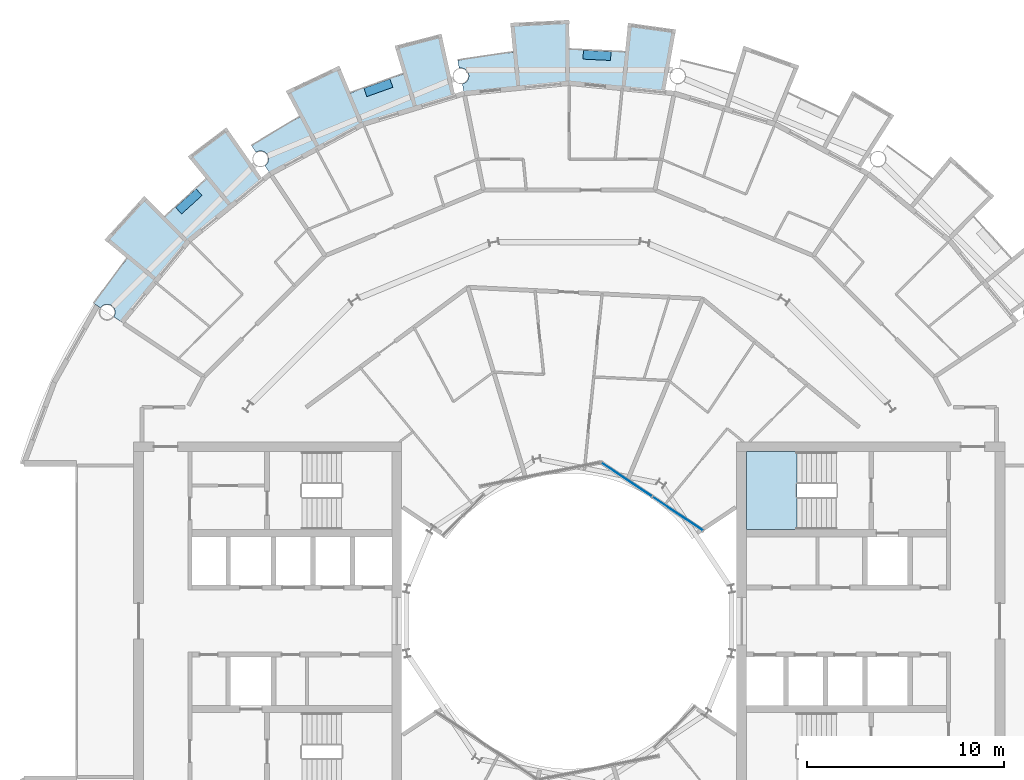
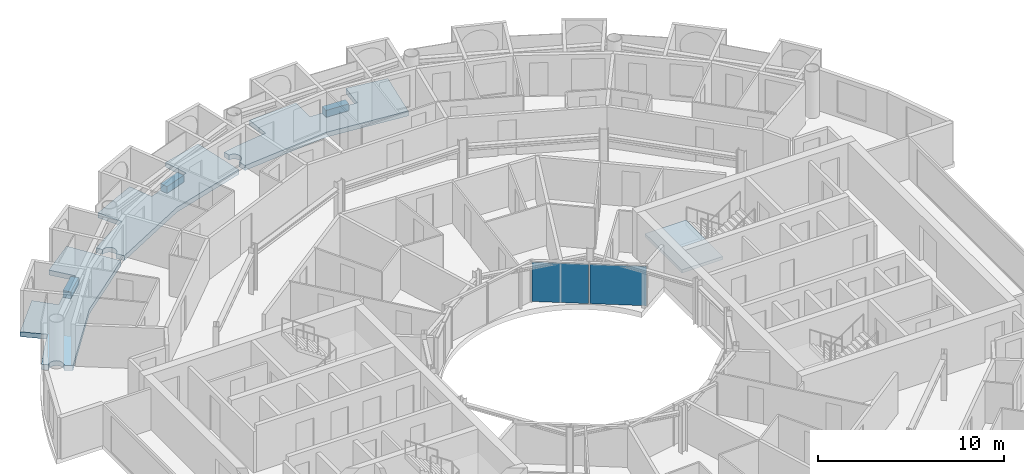
# One storey, part 12 of 27: 7 slabs, 2 plates, 2 elements without a shape of their own.
"""IFC4 building model written with IfcOpenShell, lengths in metres."""

from ifc_helpers import new_model, si_unit, direction, frame, origin, origin_2d, place, context, subcontext, project, spatial, polyline, rectangle, outline, extrude, material, layer, layer_set, type_object, element, aggregate, save


model = new_model("IFC4")

# Units and contexts
model_context = context("Model", 3, precision=1e-05, world=origin(), true_north=direction((0.0, 1.0)))
body_context = subcontext(model_context, "Body", "Model", "MODEL_VIEW")
ifc_project = project(units=[si_unit("LENGTHUNIT", "METRE"), si_unit("AREAUNIT", "SQUARE_METRE"), si_unit("VOLUMEUNIT", "CUBIC_METRE"), si_unit("PLANEANGLEUNIT", "RADIAN"), si_unit("MASSUNIT", "GRAM", prefix="KILO")], contexts=[model_context])

# Site, building, storey
site_placement = place(None, origin())
site = spatial("IfcSite", under=ifc_project, at=site_placement, CompositionType="ELEMENT")
building_placement = place(site_placement, origin())
building = spatial("IfcBuilding", under=site, at=building_placement, Name="Maasbend Ring Residences", CompositionType="ELEMENT")
storey_placement = place(building_placement, frame((0.0, 0.0, 167.699951171875)))
storey = spatial("IfcBuildingStorey", under=building, at=storey_placement, Name="L48", CompositionType="ELEMENT", Elevation=167.699951171875)

# Stair, slab
ifc_material_1 = material(Name="Concrete C40/50", Category="concrete")
stair_type = type_object("IfcStairType", Name="CORE STAIR 18 RISERS", PredefinedType="HALF_TURN_STAIR", material=ifc_material_1)
stair_placement = place(storey_placement, origin())
stair = element("IfcStair", 1, at=stair_placement, inside=storey, type_object=stair_type, Name="L48 Exit stair ST-E1", PredefinedType="HALF_TURN_STAIR")
ifc_material_2 = material(Name="Concrete C40/50", Category="concrete")
ifc_layer_1 = layer(ifc_material_2, 0.199951171875)
ifc_layer_set_1 = layer_set([ifc_layer_1], Name="Concrete C40/50")
slab_type_1 = type_object("IfcSlabType", Name="CORE STAIR LANDING 200", PredefinedType="LANDING", material=ifc_layer_set_1)
slab_1_placement = place(storey_placement, frame((0.0, 0.0, 1.324951171875)))
slab_1 = element("IfcSlab", 2, at=slab_1_placement, type_object=slab_type_1, Name="ST-E1 landing 1", PredefinedType="LANDING", context=body_context, shape_type="SweptSolid", body=[
    extrude(outline(polyline([(11.550048828125, 8.60009765625), (9.0, 8.60009765625), (9.0, 4.64990234375), (11.550048828125, 4.64990234375), (11.550048828125, 8.60009765625)])), origin(), (0.0, 0.0, 1.0), 0.2001953125),
])
aggregate(stair, [slab_1])

# Curtain wall, plates
ifc_material_3 = material(Name="Aluminium and clear glass", Category="aluminium")
ifc_layer_2 = layer(ifc_material_3, 0.179931640625)
ifc_layer_set_2 = layer_set([ifc_layer_2], Name="CW-W")
curtain_wall_type = type_object("IfcCurtainWallType", Name="CW-W", PredefinedType="NOTDEFINED", material=ifc_layer_set_2)
curtain_wall_placement = place(storey_placement, origin())
curtain_wall = element("IfcCurtainWall", 3, at=curtain_wall_placement, inside=storey, type_object=curtain_wall_type, Name="Well curtain wall N1", PredefinedType="NOTDEFINED")
ifc_material_4 = material(Name="Glass clear laminated", Category="glass")
ifc_layer_3 = layer(ifc_material_4, 0.031982421875)
ifc_layer_set_3 = layer_set([ifc_layer_3], Name="CWP-W")
plate_type = type_object("IfcPlateType", Name="CWP-W", PredefinedType="CURTAIN_PANEL", material=ifc_layer_set_3)
plate_1_placement = place(storey_placement, frame((5.51123046875, 5.44580078125, 0.0), z_axis=(0.0, 0.0, 1.0), x_axis=(-0.831469612303, 0.55557023302, 0.0)))
plate_1 = element("IfcPlate", 4, at=plate_1_placement, type_object=plate_type, Name="Glass panel well face", PredefinedType="CURTAIN_PANEL", context=body_context, shape_type="SweptSolid", body=[
    extrude(rectangle(XDim=3.053955078125, YDim=0.031982421875, at=origin_2d()), origin(), (0.0, 0.0, 1.0), 2.580078125),
])
plate_2_placement = place(storey_placement, frame((2.922119140625, 7.17578125, 0.0), z_axis=(0.0, 0.0, 1.0), x_axis=(-0.831469612303, 0.55557023302, 0.0)))
plate_2 = element("IfcPlate", 5, at=plate_2_placement, type_object=plate_type, Name="Glass panel well face", PredefinedType="CURTAIN_PANEL", context=body_context, shape_type="SweptSolid", body=[
    extrude(rectangle(XDim=3.053955078125, YDim=0.031982421875, at=origin_2d()), origin(), (0.0, 0.0, 1.0), 2.580078125),
])
aggregate(curtain_wall, [plate_1, plate_2])

# Slabs
ifc_material_5 = material(Name="Planting with climbing greenery")
ifc_layer_4 = layer(ifc_material_5, 0.449951171875)
ifc_layer_set_4 = layer_set([ifc_layer_4], Name="PLANTER-LG")
slab_type_2 = type_object("IfcSlabType", Name="PLANTER-LG", PredefinedType="USERDEFINED", material=ifc_layer_set_4)
slab_2_placement = place(storey_placement, frame((0.0, 0.0, -0.030029296875)))
element("IfcSlab", 6, at=slab_2_placement, inside=storey, type_object=slab_type_2, Name="Planter with climbing greenery 3", ObjectType="PLANTER", PredefinedType="USERDEFINED", context=body_context, shape_type="SweptSolid", body=[
    extrude(outline(polyline([(2.1201171875, 28.89599609375), (0.721923828125, 28.965087890625), (0.699951171875, 28.514892578125), (2.097900390625, 28.446044921875), (2.1201171875, 28.89599609375)])), origin(), (0.0, 0.0, 1.0), 0.4501953125),
])
slab_3_placement = place(storey_placement, frame((0.0, 0.0, -0.030029296875)))
element("IfcSlab", 7, at=slab_3_placement, inside=storey, type_object=slab_type_2, Name="Planter with climbing greenery 4", ObjectType="PLANTER", PredefinedType="USERDEFINED", context=body_context, shape_type="SweptSolid", body=[
    extrude(outline(polyline([(-9.09912109375, 27.508056640625), (-10.4169921875, 27.035888671875), (-10.26611328125, 26.612060546875), (-8.947021484375, 27.083984375), (-9.09912109375, 27.508056640625)])), origin(), (0.0, 0.0, 1.0), 0.4501953125),
])
slab_4_placement = place(storey_placement, frame((0.0, 0.0, -0.030029296875)))
element("IfcSlab", 8, at=slab_4_placement, inside=storey, type_object=slab_type_2, Name="Planter with climbing greenery 5", ObjectType="PLANTER", PredefinedType="USERDEFINED", context=body_context, shape_type="SweptSolid", body=[
    extrude(outline(polyline([(-18.93310546875, 21.931884765625), (-19.969970703125, 20.991943359375), (-19.66796875, 20.657958984375), (-18.631103515625, 21.597900390625), (-18.93310546875, 21.931884765625)])), origin(), (0.0, 0.0, 1.0), 0.4501953125),
])
ifc_material_6 = material(Name="Concrete C40/50", Category="concrete")
ifc_layer_5 = layer(ifc_material_6, 0.199951171875)
ifc_layer_set_5 = layer_set([ifc_layer_5], Name="Concrete C40/50")
slab_type_3 = type_object("IfcSlabType", Name="SL-LOGGIA", PredefinedType="FLOOR", material=ifc_layer_set_5)
slab_5_placement = place(storey_placement, frame((0.0, 0.0, -0.349853515625)))
element("IfcSlab", 9, at=slab_5_placement, inside=storey, type_object=slab_type_3, Name="Loggia floor 1", PredefinedType="FLOOR", context=body_context, shape_type="SweptSolid", body=[
    extrude(outline(polyline([(-14.5, 25.114990234375), (-13.6708984375, 25.574951171875), (-13.6708984375, 25.575927734375), (-13.6708984375, 25.575927734375), (-13.6708984375, 25.575927734375), (-13.6708984375, 25.575927734375), (-13.6708984375, 25.575927734375), (-13.6708984375, 25.575927734375), (-13.6708984375, 25.575927734375), (-13.6708984375, 25.575927734375), (-13.6708984375, 25.575927734375), (-13.6708984375, 25.575927734375), (-13.6708984375, 25.575927734375), (-13.6708984375, 25.575927734375), (-13.6708984375, 25.575927734375), (-13.6708984375, 25.575927734375), (-13.6708984375, 25.575927734375), (-13.6708984375, 25.575927734375), (-14.3779296875, 26.89892578125), (-14.3779296875, 26.89892578125), (-14.3779296875, 26.89892578125), (-11.672119140625, 28.177978515625), (-11.672119140625, 28.177978515625), (-11.672119140625, 28.177978515625), (-11.097900390625, 26.79296875), (-11.097900390625, 26.79296875), (-11.097900390625, 26.79296875), (-11.097900390625, 26.79296875), (-11.097900390625, 26.79296875), (-11.097900390625, 26.79296875), (-11.097900390625, 26.79296875), (-11.097900390625, 26.79296875), (-11.097900390625, 26.79296875), (-11.097900390625, 26.79296875), (-11.097900390625, 26.79296875), (-11.097900390625, 26.79296875), (-11.097900390625, 26.79296875), (-11.097900390625, 26.79296875), (-11.096923828125, 26.79296875), (-11.096923828125, 26.79296875), (-11.096923828125, 26.79296875), (-10.215087890625, 27.14111328125), (-10.215087890625, 27.14111328125), (-9.322021484375, 27.4609375), (-9.322021484375, 27.4609375), (-8.4189453125, 27.7509765625), (-8.4189453125, 27.7509765625), (-8.4189453125, 27.7509765625), (-8.4189453125, 27.7509765625), (-8.4189453125, 27.7509765625), (-8.4189453125, 27.7509765625), (-8.41796875, 27.7509765625), (-8.41796875, 27.7509765625), (-8.41796875, 27.7509765625), (-8.41796875, 27.7509765625), (-8.41796875, 27.7509765625), (-8.41796875, 27.751953125), (-8.41796875, 27.751953125), (-8.41796875, 27.751953125), (-8.41796875, 27.751953125), (-8.41796875, 27.751953125), (-8.41796875, 27.751953125), (-8.85400390625, 29.18701171875), (-8.85400390625, 29.18701171875), (-8.85400390625, 29.18701171875), (-6.487060546875, 29.802001953125), (-6.487060546875, 29.802001953125), (-6.487060546875, 29.802001953125), (-5.797119140625, 26.633056640625), (-5.797119140625, 26.633056640625), (-5.797119140625, 26.633056640625), (-7.886962890625, 25.9990234375), (-10.447021484375, 25.221923828125), (-10.447021484375, 25.221923828125), (-10.447021484375, 25.221923828125), (-12.806884765625, 23.9609375), (-15.1669921875, 22.698974609375), (-15.1669921875, 22.698974609375), (-15.1669921875, 22.698974609375), (-15.44091796875, 23.10888671875), (-15.43310546875, 23.114990234375), (-15.425048828125, 23.12109375), (-15.4169921875, 23.126953125), (-15.408935546875, 23.133056640625), (-15.402099609375, 23.139892578125), (-15.39404296875, 23.14599609375), (-15.386962890625, 23.153076171875), (-15.3798828125, 23.159912109375), (-15.373046875, 23.1669921875), (-15.365966796875, 23.174072265625), (-15.35888671875, 23.181884765625), (-15.35302734375, 23.18994140625), (-15.346923828125, 23.197021484375), (-15.341064453125, 23.205078125), (-15.3349609375, 23.212890625), (-15.3291015625, 23.221923828125), (-15.323974609375, 23.22998046875), (-15.318115234375, 23.238037109375), (-15.31298828125, 23.2470703125), (-15.30908203125, 23.256103515625), (-15.303955078125, 23.264892578125), (-15.300048828125, 23.27392578125), (-15.294921875, 23.282958984375), (-15.2919921875, 23.2919921875), (-15.2880859375, 23.301025390625), (-15.283935546875, 23.31005859375), (-15.281005859375, 23.320068359375), (-15.278076171875, 23.3291015625), (-15.27490234375, 23.339111328125), (-15.27294921875, 23.34912109375), (-15.27001953125, 23.35791015625), (-15.26806640625, 23.367919921875), (-15.26708984375, 23.3779296875), (-15.264892578125, 23.387939453125), (-15.263916015625, 23.39794921875), (-15.262939453125, 23.407958984375), (-15.261962890625, 23.4169921875), (-15.260986328125, 23.427001953125), (-15.260986328125, 23.43701171875), (-15.260986328125, 23.447021484375), (-15.260986328125, 23.45703125), (-15.260986328125, 23.467041015625), (-15.261962890625, 23.47705078125), (-15.262939453125, 23.487060546875), (-15.263916015625, 23.4970703125), (-15.264892578125, 23.507080078125), (-15.26708984375, 23.51708984375), (-15.26806640625, 23.527099609375), (-15.27001953125, 23.535888671875), (-15.27294921875, 23.5458984375), (-15.27490234375, 23.555908203125), (-15.278076171875, 23.56494140625), (-15.281005859375, 23.574951171875), (-15.283935546875, 23.583984375), (-15.2880859375, 23.593994140625), (-15.2919921875, 23.60302734375), (-15.294921875, 23.612060546875), (-15.300048828125, 23.62109375), (-15.303955078125, 23.6298828125), (-15.30908203125, 23.638916015625), (-15.31298828125, 23.64794921875), (-15.318115234375, 23.656005859375), (-15.323974609375, 23.6650390625), (-15.3291015625, 23.673095703125), (-15.3349609375, 23.680908203125), (-15.341064453125, 23.68994140625), (-15.346923828125, 23.697021484375), (-15.35302734375, 23.705078125), (-15.35888671875, 23.712890625), (-15.365966796875, 23.719970703125), (-15.373046875, 23.72802734375), (-15.3798828125, 23.735107421875), (-15.386962890625, 23.741943359375), (-15.39404296875, 23.7490234375), (-15.402099609375, 23.7548828125), (-15.408935546875, 23.761962890625), (-15.4169921875, 23.76806640625), (-15.425048828125, 23.77392578125), (-15.43310546875, 23.780029296875), (-15.44091796875, 23.784912109375), (-15.449951171875, 23.791015625), (-15.4580078125, 23.7958984375), (-15.467041015625, 23.801025390625), (-15.47509765625, 23.805908203125), (-15.48388671875, 23.81005859375), (-15.492919921875, 23.81494140625), (-15.501953125, 23.819091796875), (-15.511962890625, 23.822998046875), (-15.52099609375, 23.826904296875), (-15.530029296875, 23.830078125), (-15.5400390625, 23.8330078125), (-15.549072265625, 23.8359375), (-15.55908203125, 23.839111328125), (-15.568115234375, 23.842041015625), (-15.577880859375, 23.843994140625), (-15.587890625, 23.845947265625), (-15.597900390625, 23.847900390625), (-15.60693359375, 23.85009765625), (-15.616943359375, 23.85107421875), (-15.626953125, 23.85205078125), (-15.636962890625, 23.85302734375), (-15.64697265625, 23.85302734375), (-15.656982421875, 23.85400390625), (-15.6669921875, 23.85400390625), (-15.677001953125, 23.85400390625), (-15.68701171875, 23.85302734375), (-15.697021484375, 23.85302734375), (-15.70703125, 23.85205078125), (-15.717041015625, 23.85107421875), (-15.72705078125, 23.85009765625), (-15.737060546875, 23.847900390625), (-15.74609375, 23.845947265625), (-15.756103515625, 23.843994140625), (-15.76611328125, 23.842041015625), (-15.77587890625, 23.839111328125), (-15.784912109375, 23.8359375), (-15.794921875, 23.8330078125), (-15.803955078125, 23.830078125), (-15.81298828125, 23.826904296875), (-15.822998046875, 23.822998046875), (-15.83203125, 23.819091796875), (-15.841064453125, 23.81494140625), (-15.85009765625, 23.81005859375), (-15.85888671875, 23.805908203125), (-15.866943359375, 23.801025390625), (-15.8759765625, 23.7958984375), (-15.885009765625, 23.791015625), (-15.89306640625, 23.784912109375), (-16.112060546875, 24.113037109375), (-16.112060546875, 24.113037109375), (-16.112060546875, 24.113037109375), (-15.31396484375, 24.626953125), (-15.31396484375, 24.626953125), (-14.5, 25.114990234375), (-14.5, 25.114990234375)])), origin(), (0.0, 0.0, 1.0), 0.31982421875),
])
slab_6_placement = place(storey_placement, frame((0.0, 0.0, -0.349853515625)))
element("IfcSlab", 10, at=slab_6_placement, inside=storey, type_object=slab_type_3, Name="Loggia floor 3", PredefinedType="FLOOR", context=body_context, shape_type="SweptSolid", body=[
    extrude(outline(polyline([(-3.784912109375, 28.751953125), (-2.843017578125, 28.860107421875), (-2.843017578125, 28.860107421875), (-2.843017578125, 28.860107421875), (-2.843017578125, 28.860107421875), (-2.843017578125, 28.860107421875), (-2.843017578125, 28.860107421875), (-2.843017578125, 28.860107421875), (-2.843017578125, 28.860107421875), (-2.843017578125, 28.860107421875), (-2.843017578125, 28.861083984375), (-2.843017578125, 28.861083984375), (-2.843017578125, 28.861083984375), (-2.843017578125, 28.861083984375), (-2.843017578125, 28.861083984375), (-2.843017578125, 28.861083984375), (-2.843017578125, 28.861083984375), (-2.843017578125, 28.861083984375), (-2.989990234375, 30.35302734375), (-2.989990234375, 30.35302734375), (-2.989990234375, 30.35302734375), (0.0, 30.5), (0.0, 30.5), (0.0, 30.5), (0.0, 29.0), (0.0, 29.0), (0.0, 29.0), (0.0, 29.0), (0.0, 29.0), (0.0, 29.0), (0.0, 29.0), (0.0, 29.0), (0.0, 29.0), (0.0, 29.0), (0.0, 29.0), (0.0, 29.0), (0.0, 29.0), (0.0, 29.0), (0.0, 29.0), (0.0, 29.0), (0.0, 29.0), (0.948974609375, 28.98388671875), (0.948974609375, 28.98388671875), (1.89697265625, 28.93798828125), (1.89697265625, 28.93798828125), (2.842041015625, 28.860107421875), (2.842041015625, 28.860107421875), (2.842041015625, 28.860107421875), (2.842041015625, 28.860107421875), (2.842041015625, 28.860107421875), (2.842041015625, 28.860107421875), (2.842041015625, 28.860107421875), (2.842041015625, 28.860107421875), (2.842041015625, 28.861083984375), (2.842041015625, 28.861083984375), (2.842041015625, 28.861083984375), (2.842041015625, 28.861083984375), (2.842041015625, 28.861083984375), (2.843017578125, 28.861083984375), (2.843017578125, 28.861083984375), (2.843017578125, 28.861083984375), (2.843017578125, 28.861083984375), (2.989990234375, 30.35302734375), (2.989990234375, 30.35302734375), (2.989990234375, 30.35302734375), (5.412109375, 30.01611328125), (5.412109375, 30.01611328125), (5.412109375, 30.01611328125), (4.8359375, 26.823974609375), (4.8359375, 26.823974609375), (4.8359375, 26.823974609375), (2.6630859375, 27.0380859375), (0.0, 27.300048828125), (0.0, 27.300048828125), (0.0, 27.300048828125), (-2.6630859375, 27.0380859375), (-5.325927734375, 26.77490234375), (-5.325927734375, 26.77490234375), (-5.325927734375, 26.77490234375), (-5.422119140625, 27.259033203125), (-5.422119140625, 27.259033203125), (-5.412109375, 27.260986328125), (-5.403076171875, 27.263916015625), (-5.39306640625, 27.26611328125), (-5.383056640625, 27.26904296875), (-5.3740234375, 27.27197265625), (-5.364990234375, 27.27490234375), (-5.35498046875, 27.279052734375), (-5.345947265625, 27.282958984375), (-5.3369140625, 27.285888671875), (-5.327880859375, 27.291015625), (-5.319091796875, 27.294921875), (-5.31005859375, 27.300048828125), (-5.301025390625, 27.303955078125), (-5.29296875, 27.30908203125), (-5.283935546875, 27.31494140625), (-5.27587890625, 27.320068359375), (-5.26708984375, 27.325927734375), (-5.259033203125, 27.33203125), (-5.2509765625, 27.337890625), (-5.243896484375, 27.343994140625), (-5.236083984375, 27.35009765625), (-5.22900390625, 27.35693359375), (-5.220947265625, 27.364013671875), (-5.214111328125, 27.37109375), (-5.20703125, 27.3779296875), (-5.199951171875, 27.385009765625), (-5.194091796875, 27.39306640625), (-5.18701171875, 27.39990234375), (-5.180908203125, 27.407958984375), (-5.175048828125, 27.416015625), (-5.1689453125, 27.424072265625), (-5.1640625, 27.431884765625), (-5.157958984375, 27.44091796875), (-5.153076171875, 27.448974609375), (-5.14794921875, 27.4580078125), (-5.14306640625, 27.466064453125), (-5.137939453125, 27.47509765625), (-5.134033203125, 27.48388671875), (-5.1298828125, 27.492919921875), (-5.1259765625, 27.5029296875), (-5.1220703125, 27.511962890625), (-5.118896484375, 27.52099609375), (-5.115966796875, 27.531005859375), (-5.113037109375, 27.5400390625), (-5.110107421875, 27.550048828125), (-5.10693359375, 27.55908203125), (-5.10498046875, 27.569091796875), (-5.10302734375, 27.5791015625), (-5.10107421875, 27.589111328125), (-5.09912109375, 27.597900390625), (-5.097900390625, 27.60791015625), (-5.096923828125, 27.617919921875), (-5.095947265625, 27.6279296875), (-5.094970703125, 27.637939453125), (-5.094970703125, 27.64794921875), (-5.094970703125, 27.657958984375), (-5.094970703125, 27.66796875), (-5.094970703125, 27.677978515625), (-5.095947265625, 27.68798828125), (-5.096923828125, 27.697998046875), (-5.097900390625, 27.7080078125), (-5.09912109375, 27.718017578125), (-5.10107421875, 27.72802734375), (-5.10302734375, 27.737060546875), (-5.10498046875, 27.7470703125), (-5.10693359375, 27.757080078125), (-5.110107421875, 27.76708984375), (-5.113037109375, 27.77587890625), (-5.115966796875, 27.785888671875), (-5.118896484375, 27.794921875), (-5.1220703125, 27.803955078125), (-5.1259765625, 27.81396484375), (-5.1298828125, 27.822998046875), (-5.134033203125, 27.83203125), (-5.137939453125, 27.841064453125), (-5.14306640625, 27.85009765625), (-5.14794921875, 27.85791015625), (-5.153076171875, 27.866943359375), (-5.157958984375, 27.8759765625), (-5.1640625, 27.884033203125), (-5.1689453125, 27.89208984375), (-5.175048828125, 27.89990234375), (-5.180908203125, 27.907958984375), (-5.18701171875, 27.916015625), (-5.194091796875, 27.924072265625), (-5.199951171875, 27.930908203125), (-5.20703125, 27.93798828125), (-5.214111328125, 27.946044921875), (-5.220947265625, 27.952880859375), (-5.22900390625, 27.958984375), (-5.236083984375, 27.966064453125), (-5.243896484375, 27.971923828125), (-5.2509765625, 27.97900390625), (-5.259033203125, 27.985107421875), (-5.26708984375, 27.989990234375), (-5.27587890625, 27.99609375), (-5.283935546875, 28.001953125), (-5.29296875, 28.007080078125), (-5.301025390625, 28.011962890625), (-5.31005859375, 28.01708984375), (-5.319091796875, 28.02099609375), (-5.327880859375, 28.02587890625), (-5.3369140625, 28.030029296875), (-5.345947265625, 28.033935546875), (-5.35498046875, 28.037109375), (-5.364990234375, 28.041015625), (-5.3740234375, 28.0439453125), (-5.383056640625, 28.047119140625), (-5.39306640625, 28.050048828125), (-5.403076171875, 28.052001953125), (-5.412109375, 28.054931640625), (-5.422119140625, 28.056884765625), (-5.431884765625, 28.05908203125), (-5.44189453125, 28.06005859375), (-5.451904296875, 28.06201171875), (-5.4619140625, 28.06298828125), (-5.471923828125, 28.06298828125), (-5.48193359375, 28.06396484375), (-5.491943359375, 28.06396484375), (-5.501953125, 28.06494140625), (-5.510986328125, 28.06396484375), (-5.52099609375, 28.06396484375), (-5.531005859375, 28.06298828125), (-5.541015625, 28.06298828125), (-5.551025390625, 28.06201171875), (-5.56103515625, 28.06005859375), (-5.571044921875, 28.05908203125), (-5.5810546875, 28.056884765625), (-5.5810546875, 28.056884765625), (-5.657958984375, 28.443115234375), (-5.657958984375, 28.443115234375), (-5.657958984375, 28.443115234375), (-4.72412109375, 28.613037109375), (-4.72412109375, 28.613037109375), (-3.784912109375, 28.751953125), (-3.784912109375, 28.751953125)])), origin(), (0.0, 0.0, 1.0), 0.31982421875),
])
slab_7_placement = place(storey_placement, frame((0.0, 0.0, -0.349853515625)))
element("IfcSlab", 11, at=slab_7_placement, inside=storey, type_object=slab_type_3, Name="Loggia floor 4", PredefinedType="FLOOR", context=body_context, shape_type="SweptSolid", body=[
    extrude(outline(polyline([(-23.007080078125, 17.654052734375), (-22.41796875, 18.39697265625), (-22.41796875, 18.39697265625), (-22.41796875, 18.39697265625), (-22.41796875, 18.39697265625), (-22.41796875, 18.39697265625), (-22.41796875, 18.39697265625), (-22.41796875, 18.39697265625), (-22.41796875, 18.39697265625), (-22.41796875, 18.39697265625), (-22.41796875, 18.39697265625), (-22.41796875, 18.39697265625), (-22.41796875, 18.39794921875), (-22.41796875, 18.39794921875), (-22.41796875, 18.39794921875), (-22.41796875, 18.39794921875), (-22.41796875, 18.39794921875), (-22.41796875, 18.39794921875), (-23.576904296875, 19.34912109375), (-23.576904296875, 19.34912109375), (-23.576904296875, 19.34912109375), (-21.56689453125, 21.56689453125), (-21.56689453125, 21.56689453125), (-21.56689453125, 21.56689453125), (-20.506103515625, 20.506103515625), (-20.506103515625, 20.506103515625), (-20.506103515625, 20.506103515625), (-20.506103515625, 20.506103515625), (-20.506103515625, 20.506103515625), (-20.506103515625, 20.506103515625), (-20.506103515625, 20.506103515625), (-20.506103515625, 20.506103515625), (-20.506103515625, 20.506103515625), (-20.506103515625, 20.506103515625), (-20.506103515625, 20.506103515625), (-20.506103515625, 20.506103515625), (-20.506103515625, 20.506103515625), (-20.506103515625, 20.506103515625), (-20.506103515625, 20.506103515625), (-20.506103515625, 20.506103515625), (-20.506103515625, 20.506103515625), (-19.823974609375, 21.166015625), (-19.823974609375, 21.166015625), (-19.12109375, 21.802978515625), (-19.12109375, 21.802978515625), (-18.39794921875, 22.4169921875), (-18.39794921875, 22.4169921875), (-18.39794921875, 22.4169921875), (-18.39794921875, 22.4169921875), (-18.39794921875, 22.4169921875), (-18.39794921875, 22.4169921875), (-18.39794921875, 22.4169921875), (-18.39794921875, 22.4169921875), (-18.39794921875, 22.4169921875), (-18.39794921875, 22.4169921875), (-18.39794921875, 22.4169921875), (-18.39794921875, 22.4169921875), (-18.39794921875, 22.41796875), (-18.39794921875, 22.41796875), (-18.39794921875, 22.41796875), (-18.39794921875, 22.41796875), (-18.39794921875, 22.41796875), (-19.34912109375, 23.576904296875), (-19.34912109375, 23.576904296875), (-19.34912109375, 23.576904296875), (-17.39794921875, 25.051025390625), (-17.39794921875, 25.051025390625), (-17.39794921875, 25.051025390625), (-15.547119140625, 22.386962890625), (-15.547119140625, 22.386962890625), (-15.547119140625, 22.386962890625), (-17.236083984375, 21.001953125), (-19.303955078125, 19.303955078125), (-19.303955078125, 19.303955078125), (-19.303955078125, 19.303955078125), (-21.001953125, 17.236083984375), (-22.698974609375, 15.1669921875), (-22.698974609375, 15.1669921875), (-22.698974609375, 15.1669921875), (-23.10888671875, 15.44091796875), (-23.10888671875, 15.44091796875), (-23.10400390625, 15.449951171875), (-23.09912109375, 15.4580078125), (-23.093994140625, 15.467041015625), (-23.089111328125, 15.47509765625), (-23.083984375, 15.48388671875), (-23.080078125, 15.492919921875), (-23.075927734375, 15.501953125), (-23.072021484375, 15.511962890625), (-23.068115234375, 15.52099609375), (-23.06494140625, 15.530029296875), (-23.06103515625, 15.5400390625), (-23.05810546875, 15.549072265625), (-23.055908203125, 15.55908203125), (-23.052978515625, 15.568115234375), (-23.051025390625, 15.577880859375), (-23.049072265625, 15.587890625), (-23.047119140625, 15.597900390625), (-23.044921875, 15.60693359375), (-23.0439453125, 15.616943359375), (-23.04296875, 15.626953125), (-23.0419921875, 15.636962890625), (-23.041015625, 15.64697265625), (-23.041015625, 15.656982421875), (-23.041015625, 15.6669921875), (-23.041015625, 15.677001953125), (-23.041015625, 15.68701171875), (-23.0419921875, 15.697021484375), (-23.04296875, 15.70703125), (-23.0439453125, 15.717041015625), (-23.044921875, 15.72705078125), (-23.047119140625, 15.737060546875), (-23.049072265625, 15.74609375), (-23.051025390625, 15.756103515625), (-23.052978515625, 15.76611328125), (-23.055908203125, 15.77587890625), (-23.05810546875, 15.784912109375), (-23.06103515625, 15.794921875), (-23.06494140625, 15.803955078125), (-23.068115234375, 15.81298828125), (-23.072021484375, 15.822998046875), (-23.075927734375, 15.83203125), (-23.080078125, 15.841064453125), (-23.083984375, 15.85009765625), (-23.089111328125, 15.85888671875), (-23.093994140625, 15.866943359375), (-23.09912109375, 15.8759765625), (-23.10400390625, 15.885009765625), (-23.10888671875, 15.89306640625), (-23.114990234375, 15.90087890625), (-23.12109375, 15.908935546875), (-23.126953125, 15.9169921875), (-23.133056640625, 15.925048828125), (-23.139892578125, 15.93310546875), (-23.14599609375, 15.93994140625), (-23.153076171875, 15.947021484375), (-23.159912109375, 15.955078125), (-23.1669921875, 15.9619140625), (-23.174072265625, 15.968017578125), (-23.181884765625, 15.97509765625), (-23.18994140625, 15.98095703125), (-23.197021484375, 15.988037109375), (-23.205078125, 15.993896484375), (-23.212890625, 15.9990234375), (-23.221923828125, 16.0048828125), (-23.22998046875, 16.010986328125), (-23.238037109375, 16.01611328125), (-23.2470703125, 16.02099609375), (-23.256103515625, 16.02587890625), (-23.264892578125, 16.030029296875), (-23.27392578125, 16.034912109375), (-23.282958984375, 16.0390625), (-23.2919921875, 16.04296875), (-23.301025390625, 16.0458984375), (-23.31005859375, 16.050048828125), (-23.320068359375, 16.052978515625), (-23.3291015625, 16.055908203125), (-23.339111328125, 16.05908203125), (-23.34912109375, 16.06103515625), (-23.35791015625, 16.06396484375), (-23.367919921875, 16.06591796875), (-23.3779296875, 16.068115234375), (-23.387939453125, 16.069091796875), (-23.39794921875, 16.071044921875), (-23.407958984375, 16.072021484375), (-23.4169921875, 16.072021484375), (-23.427001953125, 16.072998046875), (-23.43701171875, 16.072998046875), (-23.447021484375, 16.073974609375), (-23.45703125, 16.072998046875), (-23.467041015625, 16.072998046875), (-23.47705078125, 16.072021484375), (-23.487060546875, 16.072021484375), (-23.4970703125, 16.071044921875), (-23.507080078125, 16.069091796875), (-23.51708984375, 16.068115234375), (-23.527099609375, 16.06591796875), (-23.535888671875, 16.06396484375), (-23.5458984375, 16.06103515625), (-23.555908203125, 16.05908203125), (-23.56494140625, 16.055908203125), (-23.574951171875, 16.052978515625), (-23.583984375, 16.050048828125), (-23.593994140625, 16.0458984375), (-23.60302734375, 16.04296875), (-23.612060546875, 16.0390625), (-23.62109375, 16.034912109375), (-23.6298828125, 16.030029296875), (-23.638916015625, 16.02587890625), (-23.64794921875, 16.02099609375), (-23.656005859375, 16.01611328125), (-23.6650390625, 16.010986328125), (-23.673095703125, 16.0048828125), (-23.680908203125, 15.9990234375), (-23.68994140625, 15.993896484375), (-23.697021484375, 15.988037109375), (-23.705078125, 15.98095703125), (-23.712890625, 15.97509765625), (-23.719970703125, 15.968017578125), (-23.72802734375, 15.9619140625), (-23.735107421875, 15.955078125), (-23.741943359375, 15.947021484375), (-23.7490234375, 15.93994140625), (-23.7548828125, 15.93310546875), (-23.761962890625, 15.925048828125), (-23.76806640625, 15.9169921875), (-23.77392578125, 15.908935546875), (-23.780029296875, 15.90087890625), (-23.784912109375, 15.89306640625), (-23.784912109375, 15.89306640625), (-24.113037109375, 16.112060546875), (-24.113037109375, 16.112060546875), (-24.113037109375, 16.112060546875), (-23.572998046875, 16.89208984375), (-23.572998046875, 16.89208984375), (-23.007080078125, 17.654052734375), (-23.007080078125, 17.654052734375)])), origin(), (0.0, 0.0, 1.0), 0.31982421875),
])

save(model, "model.ifc")
